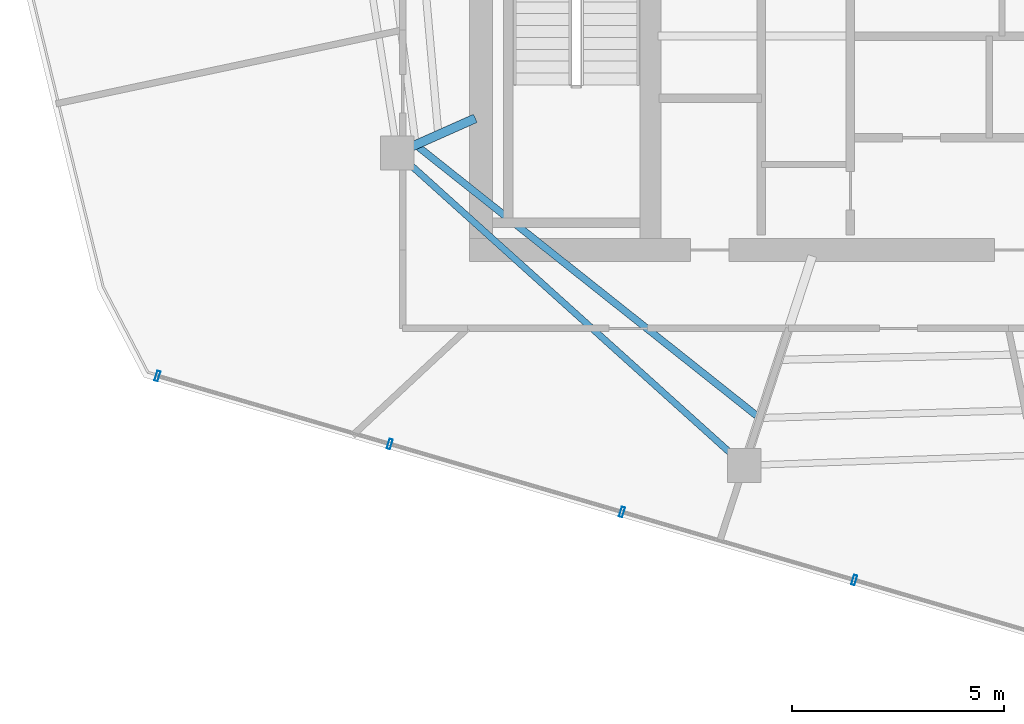
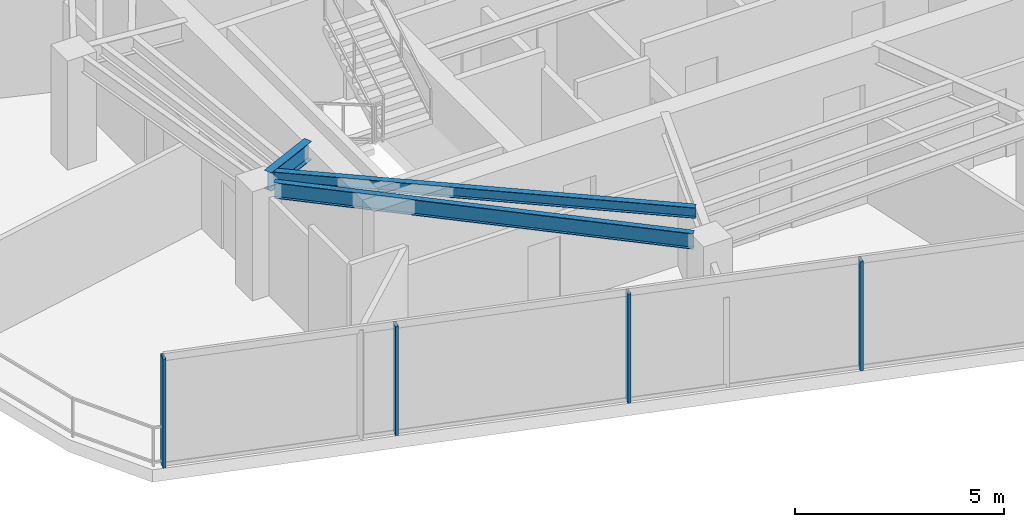
# One storey, part 2 of 19: 4 members, 3 beams, 1 element without a shape of its own.
"""IFC4 building model written with IfcOpenShell, lengths in metres."""

from ifc_helpers import new_model, si_unit, direction, frame, origin, origin_2d, place, context, subcontext, project, spatial, hollow_rectangle, i_section, extrude, material, layer, layer_set, material_profile, profile_set, type_object, element, aggregate, save


model = new_model("IFC4")

# Units and contexts
model_context = context("Model", 3, precision=1e-05, world=origin(), true_north=direction((0.0, 1.0)))
body_context = subcontext(model_context, "Body", "Model", "MODEL_VIEW")
ifc_project = project(units=[si_unit("LENGTHUNIT", "METRE"), si_unit("AREAUNIT", "SQUARE_METRE"), si_unit("VOLUMEUNIT", "CUBIC_METRE"), si_unit("PLANEANGLEUNIT", "RADIAN"), si_unit("MASSUNIT", "GRAM", prefix="KILO")], contexts=[model_context])

# Site, building, storey
site_placement = place(None, origin())
site = spatial("IfcSite", under=ifc_project, at=site_placement, CompositionType="ELEMENT")
building_placement = place(site_placement, origin())
building = spatial("IfcBuilding", under=site, at=building_placement, Name="Qarnah Convention Tower", CompositionType="ELEMENT")
storey_placement = place(building_placement, frame((0.0, 0.0, 231.89990234375)))
storey = spatial("IfcBuildingStorey", under=building, at=storey_placement, Name="L62", CompositionType="ELEMENT", Elevation=231.89990234375)

# Beams
ifc_material_1 = material(Name="Structural steel S355JR", Category="steel")
ifc_material_profile_1 = material_profile(ifc_material_1, i_section(OverallWidth=0.166015625, OverallDepth=0.31201171875, WebThickness=0.007080078125, FlangeThickness=0.010986328125, at=origin_2d()), Name="W310X45")
ifc_profile_set_1 = profile_set([ifc_material_profile_1], Name="Structural steel S355JR")
beam_type_1 = type_object("IfcBeamType", Name="BM-JST-W310", PredefinedType="JOIST", material=ifc_profile_set_1)
beam_1_placement = place(storey_placement, frame((25.325927734375, 21.027099609375, 3.024169921875), z_axis=(0.783049084818, -0.621959910899, 0.0), x_axis=(0.621959910899, 0.783049084818, 0.0)))
element("IfcBeam", 1, at=beam_1_placement, inside=storey, type_object=beam_type_1, Name="L62 joist BM-L62-SJST-06", PredefinedType="JOIST", context=body_context, shape_type="SweptSolid", body=[
    extrude(i_section(OverallWidth=0.166015625, OverallDepth=0.31201171875, WebThickness=0.007080078125, FlangeThickness=0.010986328125, at=origin_2d()), origin(), (0.0, 0.0, 1.0), 10.192138671875),
])
ifc_material_profile_2 = material_profile(ifc_material_1, i_section(OverallWidth=0.2119140625, OverallDepth=0.5400390625, WebThickness=0.011962890625, FlangeThickness=0.01904296875, at=origin_2d()), Name="W530X109")
ifc_profile_set_2 = profile_set([ifc_material_profile_2], Name="Structural steel S355JR")
beam_type_2 = type_object("IfcBeamType", Name="BM-RAD-W530A", PredefinedType="BEAM", material=ifc_profile_set_2)
beam_2_placement = place(storey_placement, frame((26.6630859375, 21.708984375, 2.91015625), z_axis=(-0.913688456795, -0.406415309652, 0.0), x_axis=(0.406415309652, -0.913688456795, 0.0)))
element("IfcBeam", 2, at=beam_2_placement, inside=storey, type_object=beam_type_2, Name="L62 beam BM-L62-RAD-06", PredefinedType="BEAM", context=body_context, shape_type="SweptSolid", body=[
    extrude(i_section(OverallWidth=0.2119140625, OverallDepth=0.5400390625, WebThickness=0.011962890625, FlangeThickness=0.01904296875, at=origin_2d()), origin(), (0.0, 0.0, 1.0), 1.636474609375),
])
ifc_material_profile_3 = material_profile(ifc_material_1, i_section(OverallWidth=0.154052734375, OverallDepth=0.4599609375, WebThickness=0.009033203125, FlangeThickness=0.014892578125, at=origin_2d()), Name="W460X68")
ifc_profile_set_3 = profile_set([ifc_material_profile_3], Name="Structural steel S355JR")
beam_type_3 = type_object("IfcBeamType", Name="BM-SPN-W460B", PredefinedType="SPANDREL", material=ifc_profile_set_3)
beam_3_placement = place(storey_placement, frame((25.111083984375, 20.6279296875, 2.9501953125), z_axis=(0.743130570512, -0.669146437762, 0.0), x_axis=(0.669146437762, 0.743130570512, 0.0)))
element("IfcBeam", 3, at=beam_3_placement, inside=storey, type_object=beam_type_3, Name="L62 spandrel BM-L62-SPN-06", PredefinedType="SPANDREL", context=body_context, shape_type="SweptSolid", body=[
    extrude(i_section(OverallWidth=0.154052734375, OverallDepth=0.4599609375, WebThickness=0.009033203125, FlangeThickness=0.014892578125, at=origin_2d()), origin(), (0.0, 0.0, 1.0), 10.242919921875),
])

# Curtain wall, members
ifc_material_2 = material(Name="Tempered Low-E dark glass", Category="glass")
ifc_layer = layer(ifc_material_2, 0.176025390625)
ifc_layer_set = layer_set([ifc_layer], Name="Tempered Low-E dark glass")
curtain_wall_type = type_object("IfcCurtainWallType", Name="CWS-05", PredefinedType="NOTDEFINED", material=ifc_layer_set)
curtain_wall_placement = place(storey_placement, origin())
curtain_wall = element("IfcCurtainWall", 4, at=curtain_wall_placement, inside=storey, type_object=curtain_wall_type, Name="L62 unitised curtain wall CW-L62-F2", PredefinedType="NOTDEFINED")
ifc_material_3 = material(Name="Black anodised aluminium", Category="aluminium")
ifc_material_profile_4 = material_profile(ifc_material_3, hollow_rectangle(XDim=0.080078125, YDim=0.239990234375, WallThickness=0.0048828125, at=origin_2d()), Name="MUL-80X240")
ifc_profile_set_4 = profile_set([ifc_material_profile_4], Name="Black anodised aluminium")
member_type = type_object("IfcMemberType", Name="MUL-T5", PredefinedType="MULLION", material=ifc_profile_set_4)
member_1_placement = place(storey_placement, frame((35.611572265625, 10.806884765625, 0.0), z_axis=(0.0, 0.0, 1.0), x_axis=(-0.959696432699, 0.28103871097, 0.0)))
member_1 = element("IfcMember", 5, at=member_1_placement, type_object=member_type, Name="CW-L62-F2 mullion 3", PredefinedType="MULLION", context=body_context, shape_type="SweptSolid", body=[
    extrude(hollow_rectangle(XDim=0.080078125, YDim=0.239990234375, WallThickness=0.0048828125, at=origin_2d()), origin(), (0.0, 0.0, 1.0), 3.18017578125),
])
member_2_placement = place(storey_placement, frame((30.12744140625, 12.4130859375, 0.0), z_axis=(0.0, 0.0, 1.0), x_axis=(-0.959696432699, 0.28103871097, 0.0)))
member_2 = element("IfcMember", 6, at=member_2_placement, type_object=member_type, Name="CW-L62-F2 mullion 4", PredefinedType="MULLION", context=body_context, shape_type="SweptSolid", body=[
    extrude(hollow_rectangle(XDim=0.080078125, YDim=0.239990234375, WallThickness=0.0048828125, at=origin_2d()), origin(), (0.0, 0.0, 1.0), 3.18017578125),
])
member_3_placement = place(storey_placement, frame((24.643310546875, 14.01904296875, 0.0), z_axis=(0.0, 0.0, 1.0), x_axis=(-0.959696432699, 0.28103871097, 0.0)))
member_3 = element("IfcMember", 7, at=member_3_placement, type_object=member_type, Name="CW-L62-F2 mullion 5", PredefinedType="MULLION", context=body_context, shape_type="SweptSolid", body=[
    extrude(hollow_rectangle(XDim=0.080078125, YDim=0.239990234375, WallThickness=0.0048828125, at=origin_2d()), origin(), (0.0, 0.0, 1.0), 3.18017578125),
])
member_4_placement = place(storey_placement, frame((19.158935546875, 15.625, 0.0), z_axis=(0.0, 0.0, 1.0), x_axis=(-0.959696432699, 0.28103871097, 0.0)))
member_4 = element("IfcMember", 8, at=member_4_placement, type_object=member_type, Name="CW-L62-F2 mullion 6", PredefinedType="MULLION", context=body_context, shape_type="SweptSolid", body=[
    extrude(hollow_rectangle(XDim=0.080078125, YDim=0.239990234375, WallThickness=0.0048828125, at=origin_2d()), origin(), (0.0, 0.0, 1.0), 3.18017578125),
])
aggregate(curtain_wall, [member_1, member_2, member_3, member_4])

save(model, "model.ifc")
